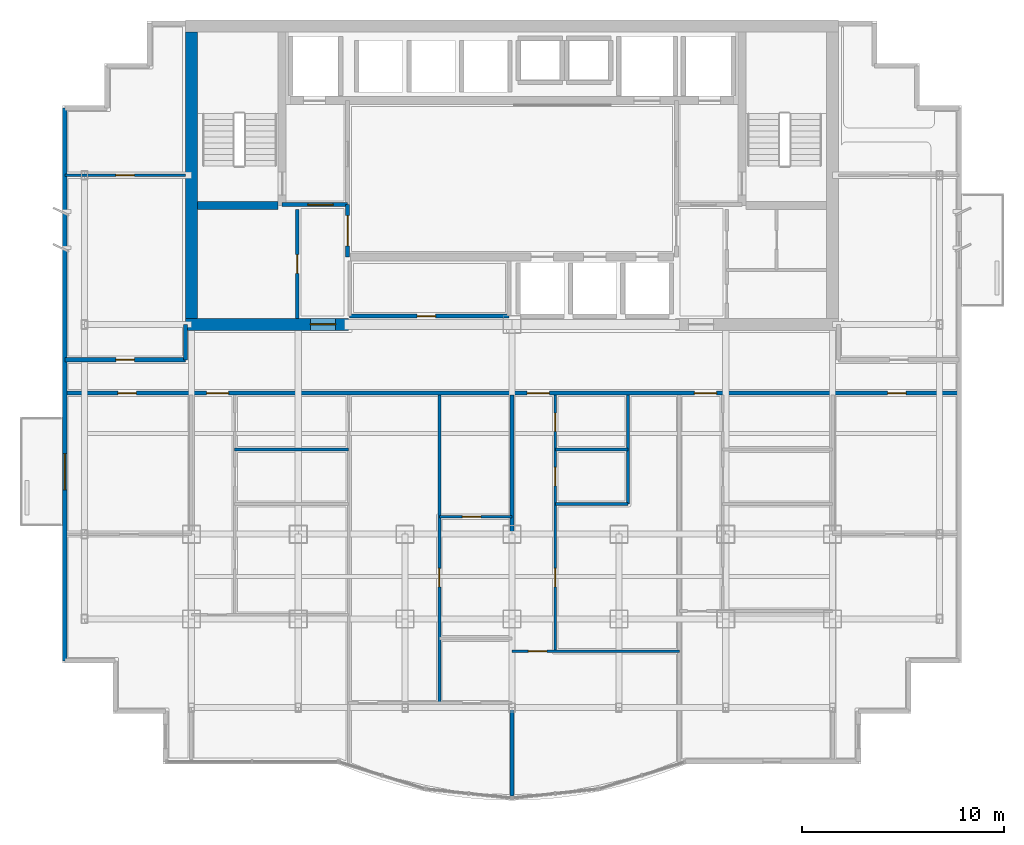
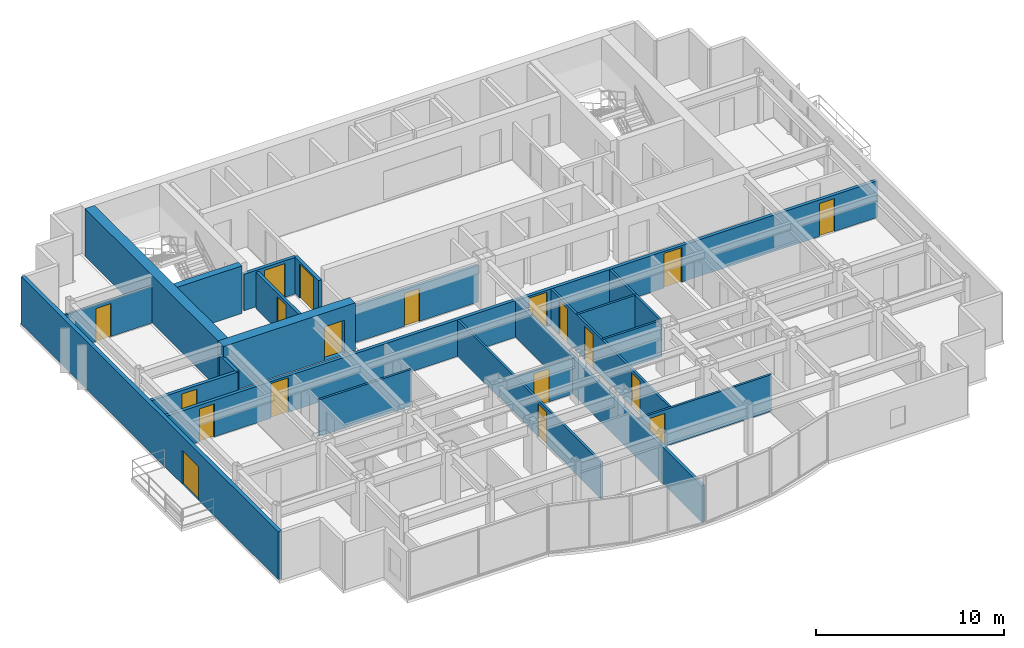
# One storey, part 6 of 11: 21 walls, 19 doors, 19 openings.
"""IFC4 building model written with IfcOpenShell, lengths in metres."""

from ifc_helpers import new_model, si_unit, direction, frame, frame_2d, origin, place, context, subcontext, project, spatial, rectangle, extrude, material, layer, layer_set, type_object, element, fill, save


model = new_model("IFC4")

# Units and contexts
model_context = context("Model", 3, precision=1e-05, world=origin(), true_north=direction((0.0, 1.0)))
body_context = subcontext(model_context, "Body", "Model", "MODEL_VIEW")
ifc_project = project(units=[si_unit("LENGTHUNIT", "METRE"), si_unit("AREAUNIT", "SQUARE_METRE"), si_unit("VOLUMEUNIT", "CUBIC_METRE"), si_unit("PLANEANGLEUNIT", "RADIAN"), si_unit("MASSUNIT", "GRAM", prefix="KILO")], contexts=[model_context])

# Site, building, storey
site_placement = place(None, origin())
site = spatial("IfcSite", under=ifc_project, at=site_placement, CompositionType="ELEMENT")
building_placement = place(site_placement, origin())
building = spatial("IfcBuilding", under=site, at=building_placement, Name="Qianlan Lanfeng Residences", CompositionType="ELEMENT")
storey_placement = place(building_placement, frame((0.0, 0.0, 155.699951171875)))
storey = spatial("IfcBuildingStorey", under=building, at=storey_placement, Name="L42", CompositionType="ELEMENT", Elevation=155.699951171875)

# Walls
ifc_material_1 = material(Name="Concrete C56", Category="concrete")
ifc_layer_1 = layer(ifc_material_1, 0.39990234375)
ifc_layer_set_1 = layer_set([ifc_layer_1], Name="Concrete C56")
wall_type_1 = type_object("IfcWallType", Name="CW-RC-400", PredefinedType="SHEAR", material=ifc_layer_set_1)
wall_1_placement = place(storey_placement, frame((10.89990234375, 31.10009765625, 0.0), z_axis=(0.0, 0.0, 1.0), x_axis=(1.0, 0.0, 0.0)))
element("IfcWall", 1, at=wall_1_placement, inside=storey, type_object=wall_type_1, Name="L42 Core Shear Wall ST1S", PredefinedType="SHEAR", context=body_context, shape_type="SweptSolid", body=[
    extrude(rectangle(XDim=4.0, YDim=0.39990234375, at=frame_2d((2.0, 0.0))), origin(), (0.0, 0.0, 1.0), 3.10009765625),
])
ifc_layer_2 = layer(ifc_material_1, 0.60009765625)
ifc_layer_set_2 = layer_set([ifc_layer_2], Name="Concrete C56")
wall_type_2 = type_object("IfcWallType", Name="CW-RC-600", PredefinedType="SHEAR", material=ifc_layer_set_2)
wall_2_placement = place(storey_placement, frame((10.60009765625, 25.5, 0.0), z_axis=(0.0, 0.0, 1.0), x_axis=(0.0, 1.0, 0.0)))
element("IfcWall", 2, at=wall_2_placement, inside=storey, type_object=wall_type_2, Name="L42 Core Shear Wall W", PredefinedType="SHEAR", context=body_context, shape_type="SweptSolid", body=[
    extrude(rectangle(XDim=14.199951171875, YDim=0.60009765625, at=frame_2d((7.10009765625, 0.0))), origin(), (0.0, 0.0, 1.0), 3.10009765625),
])

# Wall, opening, door
wall_3_placement = place(storey_placement, frame((10.300048828125, 25.199951171875, 0.0), z_axis=(0.0, 0.0, 1.0), x_axis=(1.0, 0.0, 0.0)))
wall_3 = element("IfcWall", 3, at=wall_3_placement, inside=storey, type_object=wall_type_2, Name="L42 Core Shear Wall SW", PredefinedType="SHEAR", context=body_context, shape_type="SweptSolid", body=[
    extrude(rectangle(XDim=8.099853515625, YDim=0.60009765625, at=frame_2d((4.0498046875, 0.0))), origin(), (0.0, 0.0, 1.0), 3.10009765625),
])
opening_1_placement = place(wall_3_placement, frame((6.199951171875, 0.0, 0.0)))
opening_1 = element("IfcOpeningElement", 4, at=opening_1_placement, cuts=wall_3, Name="Opening L42-D01", PredefinedType="OPENING", context=body_context, shape_type="SweptSolid", body=[
    extrude(rectangle(XDim=1.25, YDim=2.199951171875, at=frame_2d((0.625, 1.10009765625))), frame((0.0, 0.31005859375, 0.0), z_axis=(0.0, -1.0, 0.0), x_axis=(1.0, 0.0, 0.0)), (0.0, 0.0, 1.0), 0.6201171875),
])
ifc_material_2 = material(Name="Painted Galvanised Steel Fire Door", Category="steel")
door_type_1 = type_object("IfcDoorType", Name="DT-FFL", OperationType="NOTDEFINED", PredefinedType="DOOR", material=ifc_material_2)
door_1_placement = place(opening_1_placement, frame((1.25, 0.0, 0.0), z_axis=(0.0, 0.0, 1.0), x_axis=(-1.0, 0.0, 0.0)))
door_1 = element("IfcDoor", 5, at=door_1_placement, inside=storey, type_object=door_type_1, Name="L42 West Core Lobby Smoke Door L42-D01 (DT-FFL)", OperationType="SINGLE_SWING_RIGHT", OverallHeight=2.199951171875, OverallWidth=1.25, PredefinedType="DOOR", context=body_context, shape_type="SweptSolid", body=[
    extrude(rectangle(XDim=1.25, YDim=2.199951171875, at=frame_2d((0.625, 1.10009765625))), frame((0.0, 0.02490234375, 0.0), z_axis=(0.0, -1.0, 0.0), x_axis=(1.0, 0.0, 0.0)), (0.0, 0.0, 1.0), 0.050048828125),
])
fill(opening_1, door_1)

ifc_material_3 = material(Name="Concrete C42", Category="concrete")
ifc_layer_3 = layer(ifc_material_3, 0.239990234375)
ifc_layer_set_3 = layer_set([ifc_layer_3], Name="Concrete C42")
wall_type_3 = type_object("IfcWallType", Name="EW-240", PredefinedType="SOLIDWALL", material=ifc_layer_set_3)
wall_4_placement = place(storey_placement, frame((4.320068359375, 35.929931640625, 0.0), z_axis=(0.0, 0.0, 1.0), x_axis=(0.0, -1.0, 0.0)))
wall_4 = element("IfcWall", 6, at=wall_4_placement, inside=storey, type_object=wall_type_3, Name="L42 Terrace/Balcony Access Exterior Wall 21", PredefinedType="SOLIDWALL", context=body_context, shape_type="SweptSolid", body=[
    extrude(rectangle(XDim=27.409912109375, YDim=0.239990234375, at=frame_2d((13.705078125, 0.0))), origin(), (0.0, 0.0, 1.0), 3.10009765625),
])
opening_2_placement = place(wall_4_placement, frame((17.1298828125, 0.0, 0.0)))
opening_2 = element("IfcOpeningElement", 7, at=opening_2_placement, cuts=wall_4, Name="Opening L42-D-WB-S", PredefinedType="OPENING", context=body_context, shape_type="SweptSolid", body=[
    extrude(rectangle(XDim=1.800048828125, YDim=2.199951171875, at=frame_2d((0.89990234375, 1.10009765625))), frame((0.0, 0.1298828125, 0.0), z_axis=(0.0, -1.0, 0.0), x_axis=(1.0, 0.0, 0.0)), (0.0, 0.0, 1.0), 0.260009765625),
])
ifc_material_4 = material(Name="Anodised Bronze Aluminium Framed Glass", Category="aluminium")
door_type_2 = type_object("IfcDoorType", Name="DT-BAL1", OperationType="NOTDEFINED", PredefinedType="DOOR", material=ifc_material_4)
door_2_placement = place(opening_2_placement, frame((1.800048828125, 0.0, 0.0), z_axis=(0.0, 0.0, 1.0), x_axis=(-1.0, 0.0, 0.0)))
door_2 = element("IfcDoor", 8, at=door_2_placement, inside=storey, type_object=door_type_2, Name="L42 Exterior Access Door WB-S", OperationType="DOUBLE_DOOR_SLIDING", OverallHeight=2.199951171875, OverallWidth=1.800048828125, PredefinedType="DOOR", context=body_context, shape_type="SweptSolid", body=[
    extrude(rectangle(XDim=1.800048828125, YDim=2.199951171875, at=frame_2d((0.89990234375, 1.10009765625))), frame((0.0, 0.02490234375, 0.0), z_axis=(0.0, -1.0, 0.0), x_axis=(1.0, 0.0, 0.0)), (0.0, 0.0, 1.0), 0.050048828125),
])
fill(opening_2, door_2)

ifc_material_5 = material(Name="Demountable Acoustic Framing Partition 110 mm")
ifc_layer_4 = layer(ifc_material_5, 0.110107421875)
ifc_layer_set_4 = layer_set([ifc_layer_4], Name="Demountable Acoustic Framing Partition 110 mm")
wall_type_4 = type_object("IfcWallType", Name="PW-110", PredefinedType="MOVABLE", material=ifc_layer_set_4)
wall_5_placement = place(storey_placement, frame((22.89990234375, 15.662109375, 0.0), z_axis=(0.0, 0.0, 1.0), x_axis=(1.0, 0.0, 0.0)))
wall_5 = element("IfcWall", 9, at=wall_5_placement, inside=storey, type_object=wall_type_4, Name="L42 U01 Wardrobe Split", PredefinedType="MOVABLE", context=body_context, shape_type="SweptSolid", body=[
    extrude(rectangle(XDim=3.60009765625, YDim=0.110107421875, at=frame_2d((1.800048828125, 0.0))), origin(), (0.0, 0.0, 1.0), 2.380126953125),
])
opening_3_placement = place(wall_5_placement, frame((1.139892578125, 0.0, 0.0)))
opening_3 = element("IfcOpeningElement", 10, at=opening_3_placement, cuts=wall_5, Name="Opening L42-D25", PredefinedType="OPENING", context=body_context, shape_type="SweptSolid", body=[
    extrude(rectangle(XDim=0.919921875, YDim=2.14990234375, at=frame_2d((0.4599609375, 1.074951171875))), frame((0.0, 0.06494140625, 0.0), z_axis=(0.0, -1.0, 0.0), x_axis=(1.0, 0.0, 0.0)), (0.0, 0.0, 1.0), 0.130126953125),
])
ifc_material_6 = material(Name="Glazed Timber Kitchen/Study Door", Category="wood")
door_type_3 = type_object("IfcDoorType", Name="DT-INT", OperationType="NOTDEFINED", PredefinedType="DOOR", material=ifc_material_6)
door_3_placement = place(opening_3_placement, origin())
door_3 = element("IfcDoor", 11, at=door_3_placement, inside=storey, type_object=door_type_3, Name="L42 U01 Dressing Inner Door L42-D25 (DT-INT)", OperationType="SINGLE_SWING_LEFT", OverallHeight=2.14990234375, OverallWidth=0.919921875, PredefinedType="DOOR", context=body_context, shape_type="SweptSolid", body=[
    extrude(rectangle(XDim=0.919921875, YDim=2.14990234375, at=frame_2d((0.4599609375, 1.074951171875))), frame((0.0, 0.02490234375, 0.0), z_axis=(0.0, -1.0, 0.0), x_axis=(1.0, 0.0, 0.0)), (0.0, 0.0, 1.0), 0.050048828125),
])
fill(opening_3, door_3)

# Wall
ifc_material_7 = material(Name="Moisture-Resistant Gypsum Partition 135 mm")
ifc_layer_5 = layer(ifc_material_7, 0.135009765625)
ifc_layer_set_5 = layer_set([ifc_layer_5], Name="Moisture-Resistant Gypsum Partition 135 mm")
wall_type_5 = type_object("IfcWallType", Name="PW-135", PredefinedType="PARTITIONING", material=ifc_layer_set_5)
wall_6_placement = place(storey_placement, frame((12.75, 19.0, 0.0), z_axis=(0.0, 0.0, 1.0), x_axis=(1.0, 0.0, 0.0)))
element("IfcWall", 12, at=wall_6_placement, inside=storey, type_object=wall_type_5, Name="L42 U01 Bathroom South Wall", PredefinedType="PARTITIONING", context=body_context, shape_type="SweptSolid", body=[
    extrude(rectangle(XDim=5.64990234375, YDim=0.135009765625, at=frame_2d((2.824951171875, 0.0))), origin(), (0.0, 0.0, 1.0), 2.380126953125),
])

# Wall, opening, door
wall_7_placement = place(storey_placement, frame((22.89990234375, 6.424072265625, 0.0), z_axis=(0.0, 0.0, 1.0), x_axis=(0.0, 1.0, 0.0)))
wall_7 = element("IfcWall", 13, at=wall_7_placement, inside=storey, type_object=wall_type_5, Name="L42 U01 Master Passage Wall", PredefinedType="PARTITIONING", context=body_context, shape_type="SweptSolid", body=[
    extrude(rectangle(XDim=15.27587890625, YDim=0.135009765625, at=frame_2d((7.637939453125, 0.0))), origin(), (0.0, 0.0, 1.0), 2.380126953125),
])
opening_4_placement = place(wall_7_placement, frame((5.759033203125, 0.0, 0.0)))
opening_4 = element("IfcOpeningElement", 14, at=opening_4_placement, cuts=wall_7, Name="Opening L42-D24", PredefinedType="OPENING", context=body_context, shape_type="SweptSolid", body=[
    extrude(rectangle(XDim=0.919921875, YDim=2.14990234375, at=frame_2d((0.4599609375, 1.074951171875))), frame((0.0, 0.07763671875, 0.0), z_axis=(0.0, -1.0, 0.0), x_axis=(1.0, 0.0, 0.0)), (0.0, 0.0, 1.0), 0.155029296875),
])
door_4_placement = place(opening_4_placement, origin())
door_4 = element("IfcDoor", 15, at=door_4_placement, inside=storey, type_object=door_type_3, Name="L42 U01 Wardrobe Door L42-D24 (DT-INT)", OperationType="SINGLE_SWING_RIGHT", OverallHeight=2.14990234375, OverallWidth=0.919921875, PredefinedType="DOOR", context=body_context, shape_type="SweptSolid", body=[
    extrude(rectangle(XDim=0.919921875, YDim=2.14990234375, at=frame_2d((0.4599609375, 1.074951171875))), frame((0.0, 0.02490234375, 0.0), z_axis=(0.0, -1.0, 0.0), x_axis=(1.0, 0.0, 0.0)), (0.0, 0.0, 1.0), 0.050048828125),
])
fill(opening_4, door_4)

wall_8_placement = place(storey_placement, frame((26.5, 8.990966796875, 0.0), z_axis=(0.0, 0.0, 1.0), x_axis=(1.0, 0.0, 0.0)))
wall_8 = element("IfcWall", 16, at=wall_8_placement, inside=storey, type_object=wall_type_5, Name="L42 U02 Living Divider", PredefinedType="PARTITIONING", context=body_context, shape_type="SweptSolid", body=[
    extrude(rectangle(XDim=8.300048828125, YDim=0.135009765625, at=frame_2d((4.14990234375, 0.0))), origin(), (0.0, 0.0, 1.0), 2.380126953125),
])
opening_5_placement = place(wall_8_placement, frame((0.81494140625, 0.0, 0.0)))
opening_5 = element("IfcOpeningElement", 17, at=opening_5_placement, cuts=wall_8, Name="Opening L42-D27", PredefinedType="OPENING", context=body_context, shape_type="SweptSolid", body=[
    extrude(rectangle(XDim=0.919921875, YDim=2.14990234375, at=frame_2d((0.4599609375, 1.074951171875))), frame((0.0, 0.07763671875, 0.0), z_axis=(0.0, -1.0, 0.0), x_axis=(1.0, 0.0, 0.0)), (0.0, 0.0, 1.0), 0.155029296875),
])
door_5_placement = place(opening_5_placement, origin())
door_5 = element("IfcDoor", 18, at=door_5_placement, inside=storey, type_object=door_type_3, Name="L42 U02 Living Passage Door L42-D27 (DT-INT)", OperationType="SINGLE_SWING_LEFT", OverallHeight=2.14990234375, OverallWidth=0.919921875, PredefinedType="DOOR", context=body_context, shape_type="SweptSolid", body=[
    extrude(rectangle(XDim=0.919921875, YDim=2.14990234375, at=frame_2d((0.4599609375, 1.074951171875))), frame((0.0, 0.02490234375, 0.0), z_axis=(0.0, -1.0, 0.0), x_axis=(1.0, 0.0, 0.0)), (0.0, 0.0, 1.0), 0.050048828125),
])
fill(opening_5, door_5)

# Wall, openings, doors
wall_9_placement = place(storey_placement, frame((28.64990234375, 8.990966796875, 0.0), z_axis=(0.0, 0.0, 1.0), x_axis=(0.0, 1.0, 0.0)))
wall_9 = element("IfcWall", 19, at=wall_9_placement, inside=storey, type_object=wall_type_5, Name="L42 U02 Entry Hall Spine", PredefinedType="PARTITIONING", context=body_context, shape_type="SweptSolid", body=[
    extrude(rectangle(XDim=12.708984375, YDim=0.135009765625, at=frame_2d((6.3544921875, 0.0))), origin(), (0.0, 0.0, 1.0), 2.380126953125),
])
opening_6_placement = place(wall_9_placement, frame((3.195068359375, 0.0, 0.0)))
opening_6 = element("IfcOpeningElement", 20, at=opening_6_placement, cuts=wall_9, Name="Opening L42-D28", PredefinedType="OPENING", context=body_context, shape_type="SweptSolid", body=[
    extrude(rectangle(XDim=0.919921875, YDim=2.14990234375, at=frame_2d((0.4599609375, 1.074951171875))), frame((0.0, 0.07763671875, 0.0), z_axis=(0.0, -1.0, 0.0), x_axis=(1.0, 0.0, 0.0)), (0.0, 0.0, 1.0), 0.155029296875),
])
opening_7_placement = place(wall_9_placement, frame((8.198974609375, 0.0, 0.0)))
opening_7 = element("IfcOpeningElement", 21, at=opening_7_placement, cuts=wall_9, Name="Opening L42-D29", PredefinedType="OPENING", context=body_context, shape_type="SweptSolid", body=[
    extrude(rectangle(XDim=0.919921875, YDim=2.14990234375, at=frame_2d((0.4599609375, 1.074951171875))), frame((0.0, 0.07763671875, 0.0), z_axis=(0.0, -1.0, 0.0), x_axis=(1.0, 0.0, 0.0)), (0.0, 0.0, 1.0), 0.155029296875),
])
opening_8_placement = place(wall_9_placement, frame((10.908935546875, 0.0, 0.0)))
opening_8 = element("IfcOpeningElement", 22, at=opening_8_placement, cuts=wall_9, Name="Opening L42-D30", PredefinedType="OPENING", context=body_context, shape_type="SweptSolid", body=[
    extrude(rectangle(XDim=0.89990234375, YDim=2.14990234375, at=frame_2d((0.449951171875, 1.074951171875))), frame((0.0, 0.07763671875, 0.0), z_axis=(0.0, -1.0, 0.0), x_axis=(1.0, 0.0, 0.0)), (0.0, 0.0, 1.0), 0.155029296875),
])
door_6_placement = place(opening_6_placement, origin())
door_6 = element("IfcDoor", 23, at=door_6_placement, inside=storey, type_object=door_type_3, Name="L42 U02 Study Door L42-D28 (DT-INT)", OperationType="SINGLE_SWING_RIGHT", OverallHeight=2.14990234375, OverallWidth=0.919921875, PredefinedType="DOOR", context=body_context, shape_type="SweptSolid", body=[
    extrude(rectangle(XDim=0.919921875, YDim=2.14990234375, at=frame_2d((0.4599609375, 1.074951171875))), frame((0.0, 0.02490234375, 0.0), z_axis=(0.0, -1.0, 0.0), x_axis=(1.0, 0.0, 0.0)), (0.0, 0.0, 1.0), 0.050048828125),
])
fill(opening_6, door_6)
door_7_placement = place(opening_7_placement, origin())
door_7 = element("IfcDoor", 24, at=door_7_placement, inside=storey, type_object=door_type_3, Name="L42 U02 Kitchen Door L42-D29 (DT-INT)", OperationType="SINGLE_SWING_LEFT", OverallHeight=2.14990234375, OverallWidth=0.919921875, PredefinedType="DOOR", context=body_context, shape_type="SweptSolid", body=[
    extrude(rectangle(XDim=0.919921875, YDim=2.14990234375, at=frame_2d((0.4599609375, 1.074951171875))), frame((0.0, 0.02490234375, 0.0), z_axis=(0.0, -1.0, 0.0), x_axis=(1.0, 0.0, 0.0)), (0.0, 0.0, 1.0), 0.050048828125),
])
fill(opening_7, door_7)
ifc_material_8 = material(Name="Moisture-Resistant Timber Leaf", Category="wood")
door_type_4 = type_object("IfcDoorType", Name="DT-WC", OperationType="NOTDEFINED", PredefinedType="DOOR", material=ifc_material_8)
door_8_placement = place(opening_8_placement, origin())
door_8 = element("IfcDoor", 25, at=door_8_placement, inside=storey, type_object=door_type_4, Name="L42 U02 Bathroom Door L42-D30 (DT-WC)", OperationType="SINGLE_SWING_RIGHT", OverallHeight=2.14990234375, OverallWidth=0.89990234375, PredefinedType="DOOR", context=body_context, shape_type="SweptSolid", body=[
    extrude(rectangle(XDim=0.89990234375, YDim=2.14990234375, at=frame_2d((0.449951171875, 1.074951171875))), frame((0.0, 0.02490234375, 0.0), z_axis=(0.0, -1.0, 0.0), x_axis=(1.0, 0.0, 0.0)), (0.0, 0.0, 1.0), 0.050048828125),
])
fill(opening_8, door_8)

# Walls
wall_10_placement = place(storey_placement, frame((28.64990234375, 16.300048828125, 0.0), z_axis=(0.0, 0.0, 1.0), x_axis=(1.0, 0.0, 0.0)))
element("IfcWall", 26, at=wall_10_placement, inside=storey, type_object=wall_type_5, Name="L42 U02 Kitchen South Wall", PredefinedType="PARTITIONING", context=body_context, shape_type="SweptSolid", body=[
    extrude(rectangle(XDim=3.60009765625, YDim=0.135009765625, at=frame_2d((1.800048828125, 0.0))), origin(), (0.0, 0.0, 1.0), 2.380126953125),
])
wall_11_placement = place(storey_placement, frame((32.25, 16.300048828125, 0.0), z_axis=(0.0, 0.0, 1.0), x_axis=(0.0, 1.0, 0.0)))
element("IfcWall", 27, at=wall_11_placement, inside=storey, type_object=wall_type_5, Name="L42 U02 Dining East Wall", PredefinedType="PARTITIONING", context=body_context, shape_type="SweptSolid", body=[
    extrude(rectangle(XDim=5.39990234375, YDim=0.135009765625, at=frame_2d((2.699951171875, 0.0))), origin(), (0.0, 0.0, 1.0), 2.380126953125),
])
wall_12_placement = place(storey_placement, frame((28.64990234375, 19.0, 0.0), z_axis=(0.0, 0.0, 1.0), x_axis=(1.0, 0.0, 0.0)))
element("IfcWall", 28, at=wall_12_placement, inside=storey, type_object=wall_type_5, Name="L42 U02 Bathroom South Wall", PredefinedType="PARTITIONING", context=body_context, shape_type="SweptSolid", body=[
    extrude(rectangle(XDim=3.60009765625, YDim=0.135009765625, at=frame_2d((1.800048828125, 0.0))), origin(), (0.0, 0.0, 1.0), 2.380126953125),
])

# Wall, opening, door
wall_13_placement = place(storey_placement, frame((4.320068359375, 32.60009765625, 0.0), z_axis=(0.0, 0.0, 1.0), x_axis=(1.0, 0.0, 0.0)))
wall_13 = element("IfcWall", 29, at=wall_13_placement, inside=storey, type_object=wall_type_5, Name="L42 WW North Wing Wall", PredefinedType="PARTITIONING", context=body_context, shape_type="SweptSolid", body=[
    extrude(rectangle(XDim=5.97998046875, YDim=0.135009765625, at=frame_2d((2.989990234375, 0.0))), origin(), (0.0, 0.0, 1.0), 2.380126953125),
])
opening_9_placement = place(wall_13_placement, frame((2.530029296875, 0.0, 0.0)))
opening_9 = element("IfcOpeningElement", 30, at=opening_9_placement, cuts=wall_13, Name="Opening L42-D40", PredefinedType="OPENING", context=body_context, shape_type="SweptSolid", body=[
    extrude(rectangle(XDim=0.919921875, YDim=2.14990234375, at=frame_2d((0.4599609375, 1.074951171875))), frame((0.0, 0.07763671875, 0.0), z_axis=(0.0, -1.0, 0.0), x_axis=(1.0, 0.0, 0.0)), (0.0, 0.0, 1.0), 0.155029296875),
])
door_9_placement = place(opening_9_placement, origin())
door_9 = element("IfcDoor", 31, at=door_9_placement, inside=storey, type_object=door_type_3, Name="L42 WW Inner Salon Door L42-D40 (DT-INT)", OperationType="SINGLE_SWING_RIGHT", OverallHeight=2.14990234375, OverallWidth=0.919921875, PredefinedType="DOOR", context=body_context, shape_type="SweptSolid", body=[
    extrude(rectangle(XDim=0.919921875, YDim=2.14990234375, at=frame_2d((0.4599609375, 1.074951171875))), frame((0.0, 0.02490234375, 0.0), z_axis=(0.0, -1.0, 0.0), x_axis=(1.0, 0.0, 0.0)), (0.0, 0.0, 1.0), 0.050048828125),
])
fill(opening_9, door_9)

ifc_material_9 = material(Name="Double-Layer Acoustic Gypsum Stud Wall 180 mm")
ifc_layer_6 = layer(ifc_material_9, 0.179931640625)
ifc_layer_set_6 = layer_set([ifc_layer_6], Name="Double-Layer Acoustic Gypsum Stud Wall 180 mm")
wall_type_6 = type_object("IfcWallType", Name="PW-180", PredefinedType="PARTITIONING", material=ifc_layer_set_6)
wall_14_placement = place(storey_placement, frame((15.85009765625, 25.5, 0.0), z_axis=(0.0, 0.0, 1.0), x_axis=(0.0, 1.0, 0.0)))
wall_14 = element("IfcWall", 32, at=wall_14_placement, inside=storey, type_object=wall_type_6, Name="L42 Core West Service Room Wall", PredefinedType="PARTITIONING", context=body_context, shape_type="SweptSolid", body=[
    extrude(rectangle(XDim=5.39990234375, YDim=0.179931640625, at=frame_2d((2.699951171875, 0.0))), origin(), (0.0, 0.0, 1.0), 2.380126953125),
])
opening_10_placement = place(wall_14_placement, frame((2.239990234375, 0.0, 0.0)))
opening_10 = element("IfcOpeningElement", 33, at=opening_10_placement, cuts=wall_14, Name="Opening L42-D09", PredefinedType="OPENING", context=body_context, shape_type="SweptSolid", body=[
    extrude(rectangle(XDim=0.919921875, YDim=2.14990234375, at=frame_2d((0.4599609375, 1.074951171875))), frame((0.0, 0.10009765625, 0.0), z_axis=(0.0, -1.0, 0.0), x_axis=(1.0, 0.0, 0.0)), (0.0, 0.0, 1.0), 0.199951171875),
])
door_10_placement = place(opening_10_placement, origin())
door_10 = element("IfcDoor", 34, at=door_10_placement, inside=storey, type_object=door_type_3, Name="L42 Storage Room Door L42-D09 (DT-INT)", OperationType="SINGLE_SWING_LEFT", OverallHeight=2.14990234375, OverallWidth=0.919921875, PredefinedType="DOOR", context=body_context, shape_type="SweptSolid", body=[
    extrude(rectangle(XDim=0.919921875, YDim=2.14990234375, at=frame_2d((0.4599609375, 1.074951171875))), frame((0.0, 0.02490234375, 0.0), z_axis=(0.0, -1.0, 0.0), x_axis=(1.0, 0.0, 0.0)), (0.0, 0.0, 1.0), 0.050048828125),
])
fill(opening_10, door_10)

wall_15_placement = place(storey_placement, frame((18.449951171875, 25.6201171875, 0.0), z_axis=(0.0, 0.0, 1.0), x_axis=(1.0, 0.0, 0.0)))
wall_15 = element("IfcWall", 35, at=wall_15_placement, inside=storey, type_object=wall_type_6, Name="L42 Reclaimed Low-Bank Room South Wall", PredefinedType="PARTITIONING", context=body_context, shape_type="SweptSolid", body=[
    extrude(rectangle(XDim=7.900146484375, YDim=0.179931640625, at=frame_2d((3.9501953125, 0.0))), origin(), (0.0, 0.0, 1.0), 2.380126953125),
])
opening_11_placement = place(wall_15_placement, frame((3.340087890625, 0.0, 0.0)))
opening_11 = element("IfcOpeningElement", 36, at=opening_11_placement, cuts=wall_15, Name="Opening L42-D15", PredefinedType="OPENING", context=body_context, shape_type="SweptSolid", body=[
    extrude(rectangle(XDim=0.919921875, YDim=2.14990234375, at=frame_2d((0.4599609375, 1.074951171875))), frame((0.0, 0.10009765625, 0.0), z_axis=(0.0, -1.0, 0.0), x_axis=(1.0, 0.0, 0.0)), (0.0, 0.0, 1.0), 0.199951171875),
])
door_11_placement = place(opening_11_placement, origin())
door_11 = element("IfcDoor", 37, at=door_11_placement, inside=storey, type_object=door_type_3, Name="L42 Reclaimed Core Salon Door L42-D15 (DT-INT)", OperationType="SINGLE_SWING_LEFT", OverallHeight=2.14990234375, OverallWidth=0.919921875, PredefinedType="DOOR", context=body_context, shape_type="SweptSolid", body=[
    extrude(rectangle(XDim=0.919921875, YDim=2.14990234375, at=frame_2d((0.4599609375, 1.074951171875))), frame((0.0, 0.02490234375, 0.0), z_axis=(0.0, -1.0, 0.0), x_axis=(1.0, 0.0, 0.0)), (0.0, 0.0, 1.0), 0.050048828125),
])
fill(opening_11, door_11)

# Wall
wall_16_placement = place(storey_placement, frame((26.5, 1.820068359375, 0.0), z_axis=(0.0, 0.0, 1.0), x_axis=(0.0, 1.0, 0.0)))
element("IfcWall", 38, at=wall_16_placement, inside=storey, type_object=wall_type_6, Name="L42 Inter-Tenancy Party Wall 2", PredefinedType="PARTITIONING", context=body_context, shape_type="SweptSolid", body=[
    extrude(rectangle(XDim=19.8798828125, YDim=0.179931640625, at=frame_2d((9.93994140625, 0.0))), origin(), (0.0, 0.0, 1.0), 2.380126953125),
])

# Wall, opening, door
ifc_material_10 = material(Name="Autoclaved Aerated Concrete Blockwork 200 mm", Category="masonry")
ifc_layer_7 = layer(ifc_material_10, 0.199951171875)
ifc_layer_set_7 = layer_set([ifc_layer_7], Name="Autoclaved Aerated Concrete Blockwork 200 mm")
wall_type_7 = type_object("IfcWallType", Name="PW-200", PredefinedType="PARTITIONING", material=ifc_layer_set_7)
wall_17_placement = place(storey_placement, frame((15.10009765625, 31.14990234375, 0.0), z_axis=(0.0, 0.0, 1.0), x_axis=(1.0, 0.0, 0.0)))
wall_17 = element("IfcWall", 39, at=wall_17_placement, inside=storey, type_object=wall_type_7, Name="L42 Firefighting Lobby 1 South Wall", PredefinedType="PARTITIONING", context=body_context, shape_type="SweptSolid", body=[
    extrude(rectangle(XDim=3.25, YDim=0.199951171875, at=frame_2d((1.625, 0.0))), origin(), (0.0, 0.0, 1.0), 2.380126953125),
])
opening_12_placement = place(wall_17_placement, frame((1.27490234375, 0.0, 0.0)))
opening_12 = element("IfcOpeningElement", 40, at=opening_12_placement, cuts=wall_17, Name="Opening L42-D03", PredefinedType="OPENING", context=body_context, shape_type="SweptSolid", body=[
    extrude(rectangle(XDim=1.25, YDim=2.199951171875, at=frame_2d((0.625, 1.10009765625))), frame((0.0, 0.10986328125, 0.0), z_axis=(0.0, -1.0, 0.0), x_axis=(1.0, 0.0, 0.0)), (0.0, 0.0, 1.0), 0.219970703125),
])
door_12_placement = place(opening_12_placement, origin())
door_12 = element("IfcDoor", 41, at=door_12_placement, inside=storey, type_object=door_type_1, Name="L42 Firefighting Lobby 1 Entry Door L42-D03 (DT-FFL)", OperationType="SINGLE_SWING_LEFT", OverallHeight=2.199951171875, OverallWidth=1.25, PredefinedType="DOOR", context=body_context, shape_type="SweptSolid", body=[
    extrude(rectangle(XDim=1.25, YDim=2.199951171875, at=frame_2d((0.625, 1.10009765625))), frame((0.0, 0.02490234375, 0.0), z_axis=(0.0, -1.0, 0.0), x_axis=(1.0, 0.0, 0.0)), (0.0, 0.0, 1.0), 0.050048828125),
])
fill(opening_12, door_12)

wall_18_placement = place(storey_placement, frame((18.35009765625, 28.550048828125, 0.0), z_axis=(0.0, 0.0, 1.0), x_axis=(0.0, 1.0, 0.0)))
wall_18 = element("IfcWall", 42, at=wall_18_placement, inside=storey, type_object=wall_type_7, Name="L42 Lift Lobby West Connector Wall", PredefinedType="PARTITIONING", context=body_context, shape_type="SweptSolid", body=[
    extrude(rectangle(XDim=2.599853515625, YDim=0.199951171875, at=frame_2d((1.2998046875, 0.0))), origin(), (0.0, 0.0, 1.0), 2.380126953125),
])
opening_13_placement = place(wall_18_placement, frame((0.550048828125, 0.0, 0.0)))
opening_13 = element("IfcOpeningElement", 43, at=opening_13_placement, cuts=wall_18, Name="Opening L42-D13", PredefinedType="OPENING", context=body_context, shape_type="SweptSolid", body=[
    extrude(rectangle(XDim=1.5, YDim=2.25, at=frame_2d((0.75, 1.125))), frame((0.0, 0.10986328125, 0.0), z_axis=(0.0, -1.0, 0.0), x_axis=(1.0, 0.0, 0.0)), (0.0, 0.0, 1.0), 0.219970703125),
])
ifc_material_11 = material(Name="Timber Veneer Acoustic Fire Door", Category="wood")
door_type_5 = type_object("IfcDoorType", Name="DT-COR1", OperationType="NOTDEFINED", PredefinedType="DOOR", material=ifc_material_11)
door_13_placement = place(opening_13_placement, origin())
door_13 = element("IfcDoor", 44, at=door_13_placement, inside=storey, type_object=door_type_5, Name="L42 Lift Lobby West Portal Door L42-D13 (DT-COR1)", OperationType="DOUBLE_DOOR_SINGLE_SWING", OverallHeight=2.25, OverallWidth=1.5, PredefinedType="DOOR", context=body_context, shape_type="SweptSolid", body=[
    extrude(rectangle(XDim=1.5, YDim=2.25, at=frame_2d((0.75, 1.125))), frame((0.0, 0.02490234375, 0.0), z_axis=(0.0, -1.0, 0.0), x_axis=(1.0, 0.0, 0.0)), (0.0, 0.0, 1.0), 0.050048828125),
])
fill(opening_13, door_13)

# Wall, openings, doors
wall_19_placement = place(storey_placement, frame((4.320068359375, 21.800048828125, 0.0), z_axis=(0.0, 0.0, 1.0), x_axis=(1.0, 0.0, 0.0)))
wall_19 = element("IfcWall", 45, at=wall_19_placement, inside=storey, type_object=wall_type_7, Name="L42 Residential Corridor South Fire Wall", PredefinedType="PARTITIONING", context=body_context, shape_type="SweptSolid", body=[
    extrude(rectangle(XDim=44.35986328125, YDim=0.199951171875, at=frame_2d((22.179931640625, 0.0))), origin(), (0.0, 0.0, 1.0), 2.380126953125),
])
opening_14_placement = place(wall_19_placement, frame((7.030029296875, 0.0, 0.0)))
opening_14 = element("IfcOpeningElement", 46, at=opening_14_placement, cuts=wall_19, Name="Opening L42-D16", PredefinedType="OPENING", context=body_context, shape_type="SweptSolid", body=[
    extrude(rectangle(XDim=1.10009765625, YDim=2.25, at=frame_2d((0.550048828125, 1.125))), frame((0.0, 0.10986328125, 0.0), z_axis=(0.0, -1.0, 0.0), x_axis=(1.0, 0.0, 0.0)), (0.0, 0.0, 1.0), 0.219970703125),
])
opening_15_placement = place(wall_19_placement, frame((22.929931640625, 0.0, 0.0)))
opening_15 = element("IfcOpeningElement", 47, at=opening_15_placement, cuts=wall_19, Name="Opening L42-D26", PredefinedType="OPENING", context=body_context, shape_type="SweptSolid", body=[
    extrude(rectangle(XDim=1.10009765625, YDim=2.25, at=frame_2d((0.550048828125, 1.125))), frame((0.0, 0.10986328125, 0.0), z_axis=(0.0, -1.0, 0.0), x_axis=(1.0, 0.0, 0.0)), (0.0, 0.0, 1.0), 0.219970703125),
])
opening_16_placement = place(wall_19_placement, frame((31.22998046875, 0.0, 0.0)))
opening_16 = element("IfcOpeningElement", 48, at=opening_16_placement, cuts=wall_19, Name="Opening L42-D31", PredefinedType="OPENING", context=body_context, shape_type="SweptSolid", body=[
    extrude(rectangle(XDim=1.10009765625, YDim=2.25, at=frame_2d((0.550048828125, 1.125))), frame((0.0, 0.10986328125, 0.0), z_axis=(0.0, -1.0, 0.0), x_axis=(1.0, 0.0, 0.0)), (0.0, 0.0, 1.0), 0.219970703125),
])
opening_17_placement = place(wall_19_placement, frame((2.635009765625, 0.0, 0.0)))
opening_17 = element("IfcOpeningElement", 49, at=opening_17_placement, cuts=wall_19, Name="Opening L42-D37", PredefinedType="OPENING", context=body_context, shape_type="SweptSolid", body=[
    extrude(rectangle(XDim=0.919921875, YDim=2.14990234375, at=frame_2d((0.4599609375, 1.074951171875))), frame((0.0, 0.10986328125, 0.0), z_axis=(0.0, -1.0, 0.0), x_axis=(1.0, 0.0, 0.0)), (0.0, 0.0, 1.0), 0.219970703125),
])
opening_18_placement = place(wall_19_placement, frame((40.804931640625, 0.0, 0.0)))
opening_18 = element("IfcOpeningElement", 50, at=opening_18_placement, cuts=wall_19, Name="Opening L42-D39", PredefinedType="OPENING", context=body_context, shape_type="SweptSolid", body=[
    extrude(rectangle(XDim=0.919921875, YDim=2.14990234375, at=frame_2d((0.4599609375, 1.074951171875))), frame((0.0, 0.10986328125, 0.0), z_axis=(0.0, -1.0, 0.0), x_axis=(1.0, 0.0, 0.0)), (0.0, 0.0, 1.0), 0.219970703125),
])
door_14_placement = place(opening_17_placement, origin())
door_14 = element("IfcDoor", 51, at=door_14_placement, inside=storey, type_object=door_type_3, Name="L42 SWP Corridor Door L42-D37 (DT-INT)", OperationType="SINGLE_SWING_LEFT", OverallHeight=2.14990234375, OverallWidth=0.919921875, PredefinedType="DOOR", context=body_context, shape_type="SweptSolid", body=[
    extrude(rectangle(XDim=0.919921875, YDim=2.14990234375, at=frame_2d((0.4599609375, 1.074951171875))), frame((0.0, 0.02490234375, 0.0), z_axis=(0.0, -1.0, 0.0), x_axis=(1.0, 0.0, 0.0)), (0.0, 0.0, 1.0), 0.050048828125),
])
fill(opening_17, door_14)
door_15_placement = place(opening_18_placement, origin())
door_15 = element("IfcDoor", 52, at=door_15_placement, inside=storey, type_object=door_type_3, Name="L42 SEP Corridor Door L42-D39 (DT-INT)", OperationType="SINGLE_SWING_LEFT", OverallHeight=2.14990234375, OverallWidth=0.919921875, PredefinedType="DOOR", context=body_context, shape_type="SweptSolid", body=[
    extrude(rectangle(XDim=0.919921875, YDim=2.14990234375, at=frame_2d((0.4599609375, 1.074951171875))), frame((0.0, 0.02490234375, 0.0), z_axis=(0.0, -1.0, 0.0), x_axis=(1.0, 0.0, 0.0)), (0.0, 0.0, 1.0), 0.050048828125),
])
fill(opening_18, door_15)
ifc_material_12 = material(Name="Solid-Core Oak Veneer Fire Door")
door_type_6 = type_object("IfcDoorType", Name="DT-UNIT", OperationType="NOTDEFINED", PredefinedType="DOOR", material=ifc_material_12)
door_16_placement = place(opening_14_placement, origin())
door_16 = element("IfcDoor", 53, at=door_16_placement, inside=storey, type_object=door_type_6, Name="L42 Apartment U01 Entrance Door L42-D16 (DT-UNIT)", OperationType="SINGLE_SWING_RIGHT", OverallHeight=2.25, OverallWidth=1.10009765625, PredefinedType="DOOR", context=body_context, shape_type="SweptSolid", body=[
    extrude(rectangle(XDim=1.10009765625, YDim=2.25, at=frame_2d((0.550048828125, 1.125))), frame((0.0, 0.02490234375, 0.0), z_axis=(0.0, -1.0, 0.0), x_axis=(1.0, 0.0, 0.0)), (0.0, 0.0, 1.0), 0.050048828125),
])
fill(opening_14, door_16)
door_17_placement = place(opening_15_placement, origin())
door_17 = element("IfcDoor", 54, at=door_17_placement, inside=storey, type_object=door_type_6, Name="L42 Apartment U02 Entrance Door L42-D26 (DT-UNIT)", OperationType="SINGLE_SWING_RIGHT", OverallHeight=2.25, OverallWidth=1.10009765625, PredefinedType="DOOR", context=body_context, shape_type="SweptSolid", body=[
    extrude(rectangle(XDim=1.10009765625, YDim=2.25, at=frame_2d((0.550048828125, 1.125))), frame((0.0, 0.02490234375, 0.0), z_axis=(0.0, -1.0, 0.0), x_axis=(1.0, 0.0, 0.0)), (0.0, 0.0, 1.0), 0.050048828125),
])
fill(opening_15, door_17)
door_18_placement = place(opening_16_placement, origin())
door_18 = element("IfcDoor", 55, at=door_18_placement, inside=storey, type_object=door_type_6, Name="L42 Apartment U03 Entrance Door L42-D31 (DT-UNIT)", OperationType="SINGLE_SWING_RIGHT", OverallHeight=2.25, OverallWidth=1.10009765625, PredefinedType="DOOR", context=body_context, shape_type="SweptSolid", body=[
    extrude(rectangle(XDim=1.10009765625, YDim=2.25, at=frame_2d((0.550048828125, 1.125))), frame((0.0, 0.02490234375, 0.0), z_axis=(0.0, -1.0, 0.0), x_axis=(1.0, 0.0, 0.0)), (0.0, 0.0, 1.0), 0.050048828125),
])
fill(opening_16, door_18)

# Wall, opening, door
wall_20_placement = place(storey_placement, frame((4.320068359375, 23.449951171875, 0.0), z_axis=(0.0, 0.0, 1.0), x_axis=(1.0, 0.0, 0.0)))
wall_20 = element("IfcWall", 56, at=wall_20_placement, inside=storey, type_object=wall_type_7, Name="L42 Corridor NW Wall", PredefinedType="PARTITIONING", context=body_context, shape_type="SweptSolid", body=[
    extrude(rectangle(XDim=5.97998046875, YDim=0.199951171875, at=frame_2d((2.989990234375, 0.0))), origin(), (0.0, 0.0, 1.0), 2.380126953125),
])
opening_19_placement = place(wall_20_placement, frame((2.530029296875, 0.0, 0.0)))
opening_19 = element("IfcOpeningElement", 57, at=opening_19_placement, cuts=wall_20, Name="Opening L42-D41", PredefinedType="OPENING", context=body_context, shape_type="SweptSolid", body=[
    extrude(rectangle(XDim=0.919921875, YDim=2.14990234375, at=frame_2d((0.4599609375, 1.074951171875))), frame((0.0, 0.10986328125, 0.0), z_axis=(0.0, -1.0, 0.0), x_axis=(1.0, 0.0, 0.0)), (0.0, 0.0, 1.0), 0.219970703125),
])
door_19_placement = place(opening_19_placement, origin())
door_19 = element("IfcDoor", 58, at=door_19_placement, inside=storey, type_object=door_type_3, Name="L42 WW Amenity Salon Door L42-D41 (DT-INT)", OperationType="SINGLE_SWING_LEFT", OverallHeight=2.14990234375, OverallWidth=0.919921875, PredefinedType="DOOR", context=body_context, shape_type="SweptSolid", body=[
    extrude(rectangle(XDim=0.919921875, YDim=2.14990234375, at=frame_2d((0.4599609375, 1.074951171875))), frame((0.0, 0.02490234375, 0.0), z_axis=(0.0, -1.0, 0.0), x_axis=(1.0, 0.0, 0.0)), (0.0, 0.0, 1.0), 0.050048828125),
])
fill(opening_19, door_19)

# Wall
wall_21_placement = place(storey_placement, frame((10.300048828125, 23.449951171875, 0.0), z_axis=(0.0, 0.0, 1.0), x_axis=(0.0, 1.0, 0.0)))
element("IfcWall", 59, at=wall_21_placement, inside=storey, type_object=wall_type_7, Name="L42 NW Wing Core Return Wall", PredefinedType="PARTITIONING", context=body_context, shape_type="SweptSolid", body=[
    extrude(rectangle(XDim=1.75, YDim=0.199951171875, at=frame_2d((0.875, 0.0))), origin(), (0.0, 0.0, 1.0), 2.380126953125),
])

save(model, "model.ifc")
